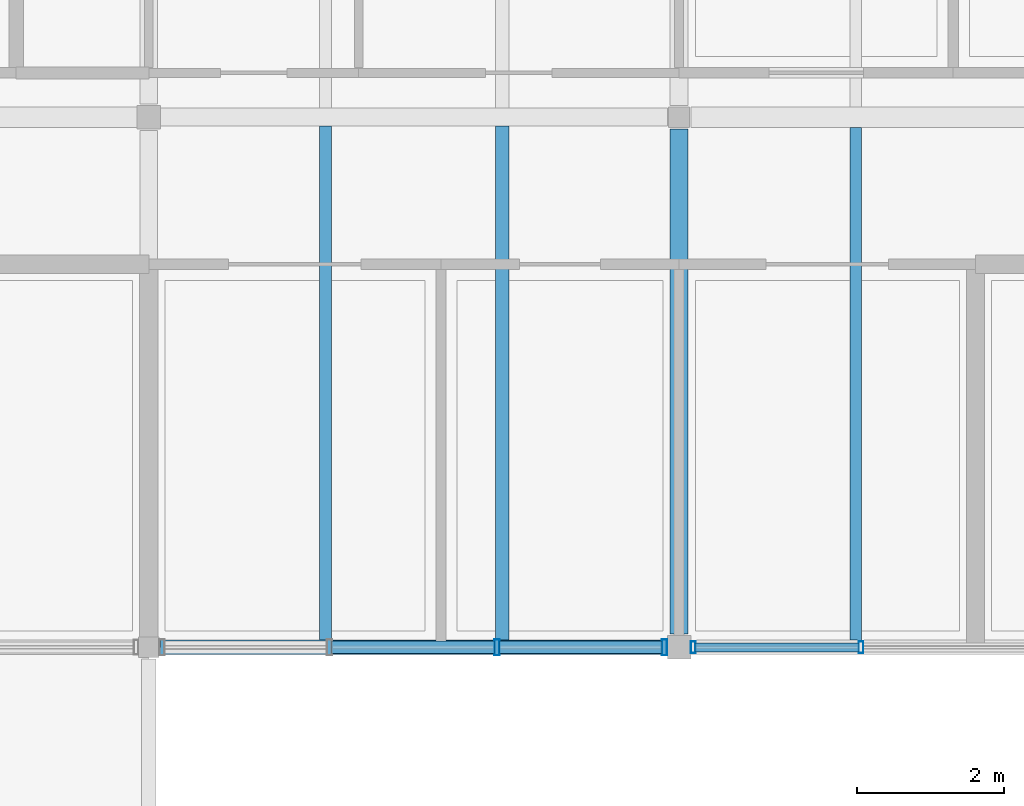
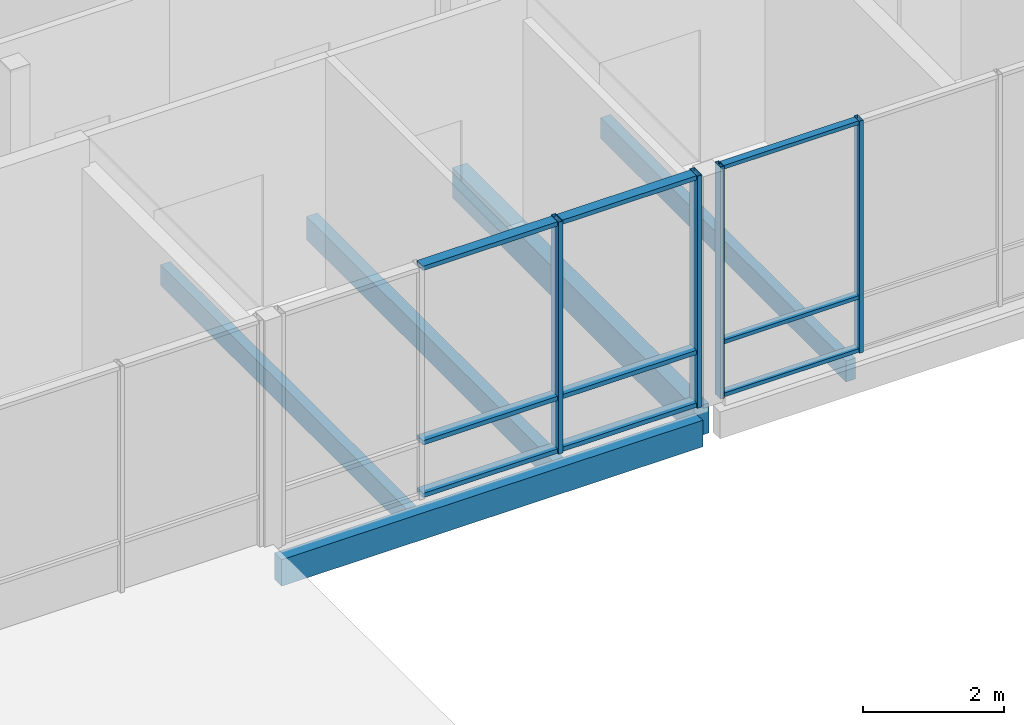
# One storey, part 14 of 57: 13 members, 5 beams, 2 elements without a shape of their own.
"""IFC4 building model written with IfcOpenShell, lengths in metres."""

from ifc_helpers import new_model, si_unit, direction, frame, origin, origin_2d, place, context, subcontext, project, spatial, rectangle, hollow_rectangle, extrude, material, material_profile, profile_set, type_object, element, aggregate, save


model = new_model("IFC4")

# Units and contexts
model_context = context("Model", 3, precision=1e-05, world=origin(), true_north=direction((0.0, 1.0)))
body_context = subcontext(model_context, "Body", "Model", "MODEL_VIEW")
ifc_project = project(units=[si_unit("LENGTHUNIT", "METRE"), si_unit("AREAUNIT", "SQUARE_METRE"), si_unit("VOLUMEUNIT", "CUBIC_METRE"), si_unit("PLANEANGLEUNIT", "RADIAN"), si_unit("MASSUNIT", "GRAM", prefix="KILO")], contexts=[model_context])

# Site, building, storey
site_placement = place(None, origin())
site = spatial("IfcSite", under=ifc_project, at=site_placement, CompositionType="ELEMENT")
building_placement = place(site_placement, origin())
building = spatial("IfcBuilding", under=site, at=building_placement, Name="Hawrajan Terrace Health Centre", CompositionType="ELEMENT")
storey_placement = place(building_placement, frame((0.0, 0.0, 13.199951171875)))
storey = spatial("IfcBuildingStorey", under=building, at=storey_placement, Name="L03", CompositionType="ELEMENT", Elevation=13.199951171875)

# Curtain wall, members
ifc_material_1 = material(Name="Anodized bronze aluminium and low-E solar glazing", Category="aluminium")
curtain_wall_type_1 = type_object("IfcCurtainWallType", Name="CW_Clerestory_SeriesG3", PredefinedType="USERDEFINED", material=ifc_material_1)
curtain_wall_1_placement = place(storey_placement, origin())
curtain_wall_1 = element("IfcCurtainWall", 1, at=curtain_wall_1_placement, inside=storey, type_object=curtain_wall_type_1, Name="Curtain wall CW-L03-162", ObjectType="UNITISED CURTAIN WALL", PredefinedType="USERDEFINED")
ifc_material_2 = material(Name="Anodized bronze aluminium 6063-T6", Category="aluminium")
ifc_material_profile_1 = material_profile(ifc_material_2, hollow_rectangle(XDim=0.06494140625, YDim=0.159912109375, WallThickness=0.00390625, at=origin_2d()), Name="CW MUL 65x160")
ifc_profile_set_1 = profile_set([ifc_material_profile_1], Name="Anodized bronze aluminium 6063-T6")
member_type_1 = type_object("IfcMemberType", Name="CWMullion_65x160", PredefinedType="MULLION", material=ifc_profile_set_1)
member_1_placement = place(storey_placement, frame((33.592529296875, 45.39990234375, -0.0048828125), z_axis=(0.0, 0.0, 1.0), x_axis=(1.0, 0.0, 0.0)))
member_1 = element("IfcMember", 2, at=member_1_placement, type_object=member_type_1, Name="Mullion CW-L03-162-M1", PredefinedType="MULLION", context=body_context, shape_type="SweptSolid", body=[
    extrude(hollow_rectangle(XDim=0.06494140625, YDim=0.159912109375, WallThickness=0.00390625, at=origin_2d()), origin(), (0.0, 0.0, 1.0), 4.02001953125),
])
member_2_placement = place(storey_placement, frame((35.870849609375, 45.39990234375, -0.0048828125), z_axis=(0.0, 0.0, 1.0), x_axis=(1.0, 0.0, 0.0)))
member_2 = element("IfcMember", 3, at=member_2_placement, type_object=member_type_1, Name="Mullion CW-L03-162-M2", PredefinedType="MULLION", context=body_context, shape_type="SweptSolid", body=[
    extrude(hollow_rectangle(XDim=0.06494140625, YDim=0.159912109375, WallThickness=0.00390625, at=origin_2d()), origin(), (0.0, 0.0, 1.0), 4.02001953125),
])

curtain_wall_type_2 = type_object("IfcCurtainWallType", Name="CW_Clerestory_SeriesG2", PredefinedType="USERDEFINED", material=ifc_material_1)
curtain_wall_2_placement = place(storey_placement, origin())
curtain_wall_2 = element("IfcCurtainWall", 4, at=curtain_wall_2_placement, inside=storey, type_object=curtain_wall_type_2, Name="Curtain wall CW-L03-161", ObjectType="UNITISED CURTAIN WALL", PredefinedType="USERDEFINED")
ifc_material_profile_2 = material_profile(ifc_material_2, hollow_rectangle(XDim=0.074951171875, YDim=0.219970703125, WallThickness=0.0048828125, at=origin_2d()), Name="CW MUL 75x220")
ifc_profile_set_2 = profile_set([ifc_material_profile_2], Name="Anodized bronze aluminium 6063-T6")
member_type_2 = type_object("IfcMemberType", Name="CWMullion_75x220", PredefinedType="MULLION", material=ifc_profile_set_2)
member_3_placement = place(storey_placement, frame((30.927490234375, 45.39990234375, -0.0048828125), z_axis=(0.0, 0.0, 1.0), x_axis=(1.0, 0.0, 0.0)))
member_3 = element("IfcMember", 5, at=member_3_placement, type_object=member_type_2, Name="Mullion CW-L03-161-M3", PredefinedType="MULLION", context=body_context, shape_type="SweptSolid", body=[
    extrude(hollow_rectangle(XDim=0.074951171875, YDim=0.219970703125, WallThickness=0.0048828125, at=origin_2d()), origin(), (0.0, 0.0, 1.0), 4.02001953125),
])
member_4_placement = place(storey_placement, frame((33.202392578125, 45.39990234375, -0.0048828125), z_axis=(0.0, 0.0, 1.0), x_axis=(1.0, 0.0, 0.0)))
member_4 = element("IfcMember", 6, at=member_4_placement, type_object=member_type_2, Name="Mullion CW-L03-161-M4", PredefinedType="MULLION", context=body_context, shape_type="SweptSolid", body=[
    extrude(hollow_rectangle(XDim=0.074951171875, YDim=0.219970703125, WallThickness=0.0048828125, at=origin_2d()), origin(), (0.0, 0.0, 1.0), 4.02001953125),
])

# Member
ifc_material_profile_3 = material_profile(ifc_material_2, hollow_rectangle(XDim=0.06494140625, YDim=0.1201171875, WallThickness=0.00341796875, at=origin_2d()), Name="CW TRN 65x120")
ifc_profile_set_3 = profile_set([ifc_material_profile_3], Name="Anodized bronze aluminium 6063-T6")
member_type_3 = type_object("IfcMemberType", Name="CWTransom_65x120", PredefinedType="USERDEFINED", material=ifc_profile_set_3)
member_5_placement = place(storey_placement, frame((33.618896484375, 45.39990234375, 0.032470703125), z_axis=(1.0, 0.0, 0.0), x_axis=(0.0, 0.0, 1.0)))
member_5 = element("IfcMember", 7, at=member_5_placement, type_object=member_type_3, Name="Transom CW-L03-162-T1-1", ObjectType="TRANSOM", PredefinedType="USERDEFINED", context=body_context, shape_type="SweptSolid", body=[
    extrude(hollow_rectangle(XDim=0.06494140625, YDim=0.1201171875, WallThickness=0.00341796875, at=origin_2d()), origin(), (0.0, 0.0, 1.0), 2.225341796875),
])

member_6_placement = place(storey_placement, frame((33.618896484375, 45.39990234375, 0.949951171875), z_axis=(1.0, 0.0, 0.0), x_axis=(0.0, 0.0, 1.0)))
member_6 = element("IfcMember", 8, at=member_6_placement, type_object=member_type_3, Name="Transom CW-L03-162-T1-2", ObjectType="TRANSOM", PredefinedType="USERDEFINED", context=body_context, shape_type="SweptSolid", body=[
    extrude(hollow_rectangle(XDim=0.06494140625, YDim=0.1201171875, WallThickness=0.00341796875, at=origin_2d()), origin(), (0.0, 0.0, 1.0), 2.225341796875),
])

member_7_placement = place(storey_placement, frame((33.618896484375, 45.39990234375, 3.9775390625), z_axis=(1.0, 0.0, 0.0), x_axis=(0.0, 0.0, 1.0)))
member_7 = element("IfcMember", 9, at=member_7_placement, type_object=member_type_3, Name="Transom CW-L03-162-T1-3", ObjectType="TRANSOM", PredefinedType="USERDEFINED", context=body_context, shape_type="SweptSolid", body=[
    extrude(hollow_rectangle(XDim=0.06494140625, YDim=0.1201171875, WallThickness=0.00341796875, at=origin_2d()), origin(), (0.0, 0.0, 1.0), 2.225341796875),
])

aggregate(curtain_wall_1, [member_1, member_2, member_5, member_6, member_7])

ifc_material_profile_4 = material_profile(ifc_material_2, hollow_rectangle(XDim=0.074951171875, YDim=0.169921875, WallThickness=0.00439453125, at=origin_2d()), Name="CW TRN 75x170")
ifc_profile_set_4 = profile_set([ifc_material_profile_4], Name="Anodized bronze aluminium 6063-T6")
member_type_4 = type_object("IfcMemberType", Name="CWTransom_75x170", PredefinedType="USERDEFINED", material=ifc_profile_set_4)
member_8_placement = place(storey_placement, frame((28.68408203125, 45.39990234375, 0.03759765625), z_axis=(1.0, 0.0, 0.0), x_axis=(0.0, 0.0, 1.0)))
member_8 = element("IfcMember", 10, at=member_8_placement, type_object=member_type_4, Name="Transom CW-L03-161-T2-1", ObjectType="TRANSOM", PredefinedType="USERDEFINED", context=body_context, shape_type="SweptSolid", body=[
    extrude(hollow_rectangle(XDim=0.074951171875, YDim=0.169921875, WallThickness=0.00439453125, at=origin_2d()), origin(), (0.0, 0.0, 1.0), 2.2119140625),
])

member_9_placement = place(storey_placement, frame((28.68408203125, 45.39990234375, 0.949951171875), z_axis=(1.0, 0.0, 0.0), x_axis=(0.0, 0.0, 1.0)))
member_9 = element("IfcMember", 11, at=member_9_placement, type_object=member_type_4, Name="Transom CW-L03-161-T2-2", ObjectType="TRANSOM", PredefinedType="USERDEFINED", context=body_context, shape_type="SweptSolid", body=[
    extrude(hollow_rectangle(XDim=0.074951171875, YDim=0.169921875, WallThickness=0.00439453125, at=origin_2d()), origin(), (0.0, 0.0, 1.0), 2.2119140625),
])

member_10_placement = place(storey_placement, frame((28.68408203125, 45.39990234375, 3.97265625), z_axis=(1.0, 0.0, 0.0), x_axis=(0.0, 0.0, 1.0)))
member_10 = element("IfcMember", 12, at=member_10_placement, type_object=member_type_4, Name="Transom CW-L03-161-T2-3", ObjectType="TRANSOM", PredefinedType="USERDEFINED", context=body_context, shape_type="SweptSolid", body=[
    extrude(hollow_rectangle(XDim=0.074951171875, YDim=0.169921875, WallThickness=0.00439453125, at=origin_2d()), origin(), (0.0, 0.0, 1.0), 2.2119140625),
])

member_11_placement = place(storey_placement, frame((30.958984375, 45.39990234375, 0.03759765625), z_axis=(1.0, 0.0, 0.0), x_axis=(0.0, 0.0, 1.0)))
member_11 = element("IfcMember", 13, at=member_11_placement, type_object=member_type_4, Name="Transom CW-L03-161-T3-1", ObjectType="TRANSOM", PredefinedType="USERDEFINED", context=body_context, shape_type="SweptSolid", body=[
    extrude(hollow_rectangle(XDim=0.074951171875, YDim=0.169921875, WallThickness=0.00439453125, at=origin_2d()), origin(), (0.0, 0.0, 1.0), 2.2119140625),
])

member_12_placement = place(storey_placement, frame((30.958984375, 45.39990234375, 0.949951171875), z_axis=(1.0, 0.0, 0.0), x_axis=(0.0, 0.0, 1.0)))
member_12 = element("IfcMember", 14, at=member_12_placement, type_object=member_type_4, Name="Transom CW-L03-161-T3-2", ObjectType="TRANSOM", PredefinedType="USERDEFINED", context=body_context, shape_type="SweptSolid", body=[
    extrude(hollow_rectangle(XDim=0.074951171875, YDim=0.169921875, WallThickness=0.00439453125, at=origin_2d()), origin(), (0.0, 0.0, 1.0), 2.2119140625),
])

member_13_placement = place(storey_placement, frame((30.958984375, 45.39990234375, 3.97265625), z_axis=(1.0, 0.0, 0.0), x_axis=(0.0, 0.0, 1.0)))
member_13 = element("IfcMember", 15, at=member_13_placement, type_object=member_type_4, Name="Transom CW-L03-161-T3-3", ObjectType="TRANSOM", PredefinedType="USERDEFINED", context=body_context, shape_type="SweptSolid", body=[
    extrude(hollow_rectangle(XDim=0.074951171875, YDim=0.169921875, WallThickness=0.00439453125, at=origin_2d()), origin(), (0.0, 0.0, 1.0), 2.2119140625),
])

aggregate(curtain_wall_2, [member_3, member_4, member_8, member_9, member_10, member_11, member_12, member_13])

# Beams
ifc_material_3 = material(Name="Glulam GL32h", Category="wood")
ifc_material_profile_5 = material_profile(ifc_material_3, rectangle(XDim=0.239990234375, YDim=0.52001953125, at=origin_2d()), Name="GL BM 240x520")
ifc_profile_set_5 = profile_set([ifc_material_profile_5], Name="Glulam GL32h")
beam_type_1 = type_object("IfcBeamType", Name="GlulamGirder_240x520", PredefinedType="BEAM", material=ifc_profile_set_5)
beam_1_placement = place(storey_placement, frame((33.39990234375, 45.580078125, -0.469970703125), z_axis=(0.0, 1.0, 0.0), x_axis=(-1.0, 0.0, 0.0)))
element("IfcBeam", 16, at=beam_1_placement, inside=storey, type_object=beam_type_1, Name="Beam BM-Y-L03-W-X05-6", PredefinedType="BEAM", context=body_context, shape_type="SweptSolid", body=[
    extrude(rectangle(XDim=0.239990234375, YDim=0.52001953125, at=origin_2d()), origin(), (0.0, 0.0, 1.0), 6.85986328125),
])
ifc_material_4 = material(Name="Glulam GL28h", Category="wood")
ifc_material_profile_6 = material_profile(ifc_material_4, rectangle(XDim=0.159912109375, YDim=0.360107421875, at=origin_2d()), Name="GL JST 160x360")
ifc_profile_set_6 = profile_set([ifc_material_profile_6], Name="Glulam GL28h")
beam_type_2 = type_object("IfcBeamType", Name="GlulamJoist_160x360", PredefinedType="JOIST", material=ifc_profile_set_6)
beam_2_placement = place(storey_placement, frame((28.60009765625, 45.5, -0.429931640625), z_axis=(0.0, 1.0, 0.0), x_axis=(-1.0, 0.0, 0.0)))
element("IfcBeam", 17, at=beam_2_placement, inside=storey, type_object=beam_type_2, Name="Secondary joist JST-L03-W-04-6-1", PredefinedType="JOIST", context=body_context, shape_type="SweptSolid", body=[
    extrude(rectangle(XDim=0.159912109375, YDim=0.360107421875, at=origin_2d()), origin(), (0.0, 0.0, 1.0), 6.97998046875),
])
beam_3_placement = place(storey_placement, frame((35.800048828125, 45.5, -0.389892578125), z_axis=(0.0, 1.0, 0.0), x_axis=(-1.0, 0.0, 0.0)))
element("IfcBeam", 18, at=beam_3_placement, inside=storey, type_object=beam_type_2, Name="Secondary joist JST-L03-W-05-6-1", PredefinedType="JOIST", context=body_context, shape_type="SweptSolid", body=[
    extrude(rectangle(XDim=0.159912109375, YDim=0.360107421875, at=origin_2d()), origin(), (0.0, 0.0, 1.0), 6.9599609375),
])
ifc_material_profile_7 = material_profile(ifc_material_4, rectangle(XDim=0.179931640625, YDim=0.39990234375, at=origin_2d()), Name="GL JST 180x400")
ifc_profile_set_7 = profile_set([ifc_material_profile_7], Name="Glulam GL28h")
beam_type_3 = type_object("IfcBeamType", Name="GlulamJoist_180x400", PredefinedType="JOIST", material=ifc_profile_set_7)
beam_4_placement = place(storey_placement, frame((31.0, 45.5, -0.449951171875), z_axis=(0.0, 1.0, 0.0), x_axis=(-1.0, 0.0, 0.0)))
element("IfcBeam", 19, at=beam_4_placement, inside=storey, type_object=beam_type_3, Name="Secondary joist JST-L03-W-04-6-2", PredefinedType="JOIST", context=body_context, shape_type="SweptSolid", body=[
    extrude(rectangle(XDim=0.179931640625, YDim=0.39990234375, at=origin_2d()), origin(), (0.0, 0.0, 1.0), 6.97998046875),
])
ifc_material_profile_8 = material_profile(ifc_material_3, rectangle(XDim=0.199951171875, YDim=0.4599609375, at=origin_2d()), Name="GL SP 200x460")
ifc_profile_set_8 = profile_set([ifc_material_profile_8], Name="Glulam GL32h")
beam_type_4 = type_object("IfcBeamType", Name="GlulamSpandrel_200x460", PredefinedType="SPANDREL", material=ifc_profile_set_8)
beam_5_placement = place(storey_placement, frame((26.360107421875, 45.39990234375, -0.47998046875), z_axis=(1.0, 0.0, 0.0), x_axis=(0.0, 1.0, 0.0)))
element("IfcBeam", 20, at=beam_5_placement, inside=storey, type_object=beam_type_4, Name="Beam BM-X-L03-W-04-Y6", PredefinedType="SPANDREL", context=body_context, shape_type="SweptSolid", body=[
    extrude(rectangle(XDim=0.199951171875, YDim=0.4599609375, at=origin_2d()), origin(), (0.0, 0.0, 1.0), 6.89990234375),
])

save(model, "model.ifc")
